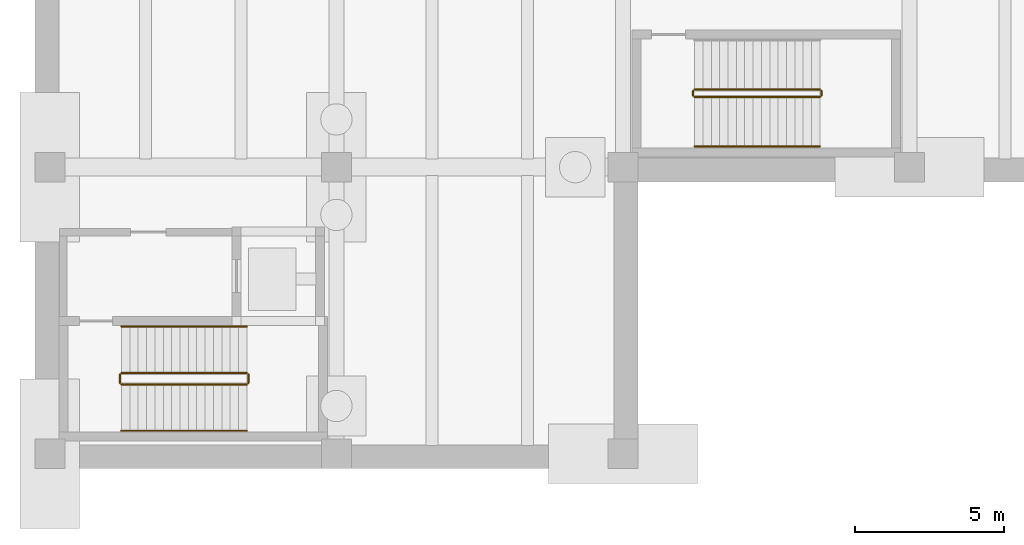
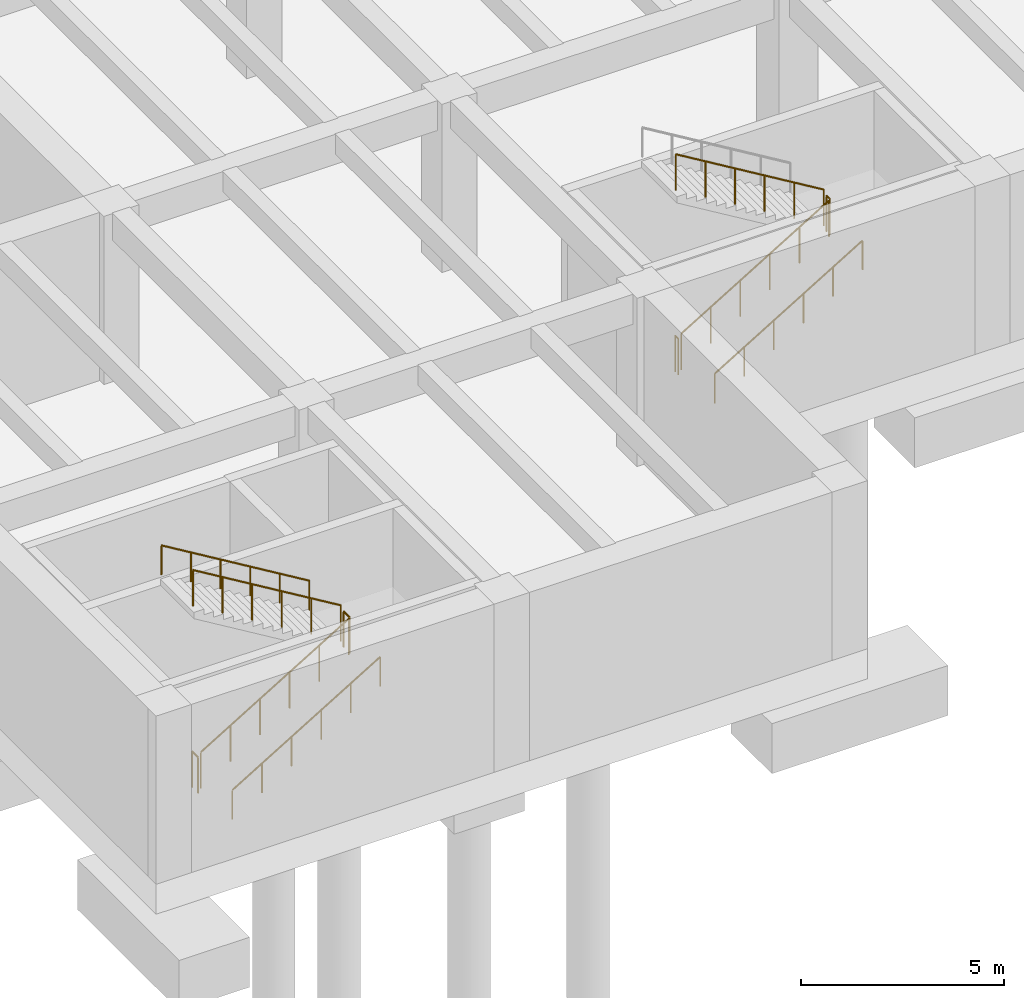
# One storey, part 16 of 24: 11 railings.
"""IFC4 building model written with IfcOpenShell, lengths in metres."""

from ifc_helpers import new_model, si_unit, direction, frame, origin, origin_2d, place, context, subcontext, project, spatial, circle, extrude, material, type_object, element, save


model = new_model("IFC4")

# Units and contexts
model_context = context("Model", 3, precision=1e-05, world=origin(), true_north=direction((0.0, 1.0)))
body_context = subcontext(model_context, "Body", "Model", "MODEL_VIEW")
ifc_project = project(units=[si_unit("LENGTHUNIT", "METRE"), si_unit("AREAUNIT", "SQUARE_METRE"), si_unit("VOLUMEUNIT", "CUBIC_METRE"), si_unit("PLANEANGLEUNIT", "RADIAN"), si_unit("MASSUNIT", "GRAM", prefix="KILO")], contexts=[model_context])

# Site, building, storey
site_placement = place(None, origin())
site = spatial("IfcSite", under=ifc_project, at=site_placement, CompositionType="ELEMENT")
building_placement = place(site_placement, origin())
building = spatial("IfcBuilding", under=site, at=building_placement, Name="Coralgate Yard Interchange", CompositionType="ELEMENT")
storey_placement = place(building_placement, frame((0.0, 0.0, -10.800048828125)))
storey = spatial("IfcBuildingStorey", under=building, at=storey_placement, Name="B2", CompositionType="ELEMENT", Elevation=-10.800048828125)

# Railings
ifc_material_1 = material(Name="Grade 316 marine stainless steel and toughened glass balustrade", Category="steel")
railing_type_1 = type_object("IfcRailingType", Name="RLG-GD1100", PredefinedType="BALUSTRADE", material=ifc_material_1)
railing_1_placement = place(storey_placement, frame((12.0, 31.1201171875, 0.168701171875)))
element("IfcRailing", 1, at=railing_1_placement, inside=storey, type_object=railing_type_1, Name="B2 ST-01 stair guard 1", PredefinedType="BALUSTRADE", context=body_context, shape_type="SweptSolid", body=[
    extrude(circle(Radius=0.02392578125, at=origin_2d()), frame((0.0, 0.0, 1.076171875), z_axis=(0.856476492594, 0.0, 0.516186030065), x_axis=(0.0, 1.0, 0.0)), (0.0, 0.0, 1.0), 4.90380859375),
    extrude(circle(Radius=0.02099609375, at=origin_2d()), origin(), (0.0, 0.0, 1.0), 1.051513671875),
    extrude(circle(Radius=0.02099609375, at=origin_2d()), frame((0.840087890625, 0.0, 0.50634765625)), (0.0, 0.0, 1.0), 1.051513671875),
    extrude(circle(Radius=0.02099609375, at=origin_2d()), frame((1.679931640625, 0.0, 1.012451171875)), (0.0, 0.0, 1.0), 1.051513671875),
    extrude(circle(Radius=0.02099609375, at=origin_2d()), frame((2.52001953125, 0.0, 1.518798828125)), (0.0, 0.0, 1.0), 1.051513671875),
    extrude(circle(Radius=0.02099609375, at=origin_2d()), frame((3.35986328125, 0.0, 2.02490234375)), (0.0, 0.0, 1.0), 1.051513671875),
    extrude(circle(Radius=0.02099609375, at=origin_2d()), frame((4.199951171875, 0.0, 2.53125)), (0.0, 0.0, 1.0), 1.051513671875),
])
railing_2_placement = place(storey_placement, frame((16.25, 31.169921875, 2.699951171875)))
element("IfcRailing", 2, at=railing_2_placement, inside=storey, type_object=railing_type_1, Name="B2 ST-01 stair guard 2", PredefinedType="BALUSTRADE", context=body_context, shape_type="SweptSolid", body=[
    extrude(circle(Radius=0.02392578125, at=origin_2d()), frame((0.0, 0.0, 1.076171875), z_axis=(0.0, 1.0, 0.0), x_axis=(-1.0, 0.0, 0.0)), (0.0, 0.0, 1.0), 0.2900390625),
    extrude(circle(Radius=0.02099609375, at=origin_2d()), origin(), (0.0, 0.0, 1.0), 1.051513671875),
    extrude(circle(Radius=0.02099609375, at=origin_2d()), frame((0.0, 0.2900390625, 0.0)), (0.0, 0.0, 1.0), 1.051513671875),
])
railing_3_placement = place(storey_placement, frame((16.199951171875, 31.510009765625, 2.868896484375)))
element("IfcRailing", 3, at=railing_3_placement, inside=storey, type_object=railing_type_1, Name="B2 ST-01 stair guard 3", PredefinedType="BALUSTRADE", context=body_context, shape_type="SweptSolid", body=[
    extrude(circle(Radius=0.02392578125, at=origin_2d()), frame((0.0, 0.0, 1.076171875), z_axis=(-0.856476492594, 0.0, 0.516186030065), x_axis=(0.0, -1.0, 0.0)), (0.0, 0.0, 1.0), 4.90380859375),
    extrude(circle(Radius=0.02099609375, at=origin_2d()), origin(), (0.0, 0.0, 1.0), 1.051513671875),
    extrude(circle(Radius=0.02099609375, at=origin_2d()), frame((-0.840087890625, 0.0, 0.50634765625)), (0.0, 0.0, 1.0), 1.051513671875),
    extrude(circle(Radius=0.02099609375, at=origin_2d()), frame((-1.679931640625, 0.0, 1.012451171875)), (0.0, 0.0, 1.0), 1.051513671875),
    extrude(circle(Radius=0.02099609375, at=origin_2d()), frame((-2.52001953125, 0.0, 1.518798828125)), (0.0, 0.0, 1.0), 1.051513671875),
    extrude(circle(Radius=0.02099609375, at=origin_2d()), frame((-3.35986328125, 0.0, 2.02490234375)), (0.0, 0.0, 1.0), 1.051513671875),
    extrude(circle(Radius=0.02099609375, at=origin_2d()), frame((-4.199951171875, 0.0, 2.53125)), (0.0, 0.0, 1.0), 1.051513671875),
])
railing_4_placement = place(storey_placement, frame((11.949951171875, 31.169921875, 0.0)))
element("IfcRailing", 4, at=railing_4_placement, inside=storey, type_object=railing_type_1, Name="B2 ST-01 stair guard 4", PredefinedType="BALUSTRADE", context=body_context, shape_type="SweptSolid", body=[
    extrude(circle(Radius=0.02392578125, at=origin_2d()), frame((0.0, 0.0, 1.076171875), z_axis=(0.0, 1.0, 0.0), x_axis=(-1.0, 0.0, 0.0)), (0.0, 0.0, 1.0), 0.2900390625),
    extrude(circle(Radius=0.02099609375, at=origin_2d()), origin(), (0.0, 0.0, 1.0), 1.051513671875),
    extrude(circle(Radius=0.02099609375, at=origin_2d()), frame((0.0, 0.2900390625, 0.0)), (0.0, 0.0, 1.0), 1.051513671875),
])
railing_5_placement = place(storey_placement, frame((31.199951171875, 40.75, 0.168701171875)))
element("IfcRailing", 5, at=railing_5_placement, inside=storey, type_object=railing_type_1, Name="B2 ST-12 stair guard 1", PredefinedType="BALUSTRADE", context=body_context, shape_type="SweptSolid", body=[
    extrude(circle(Radius=0.02392578125, at=origin_2d()), frame((0.0, 0.0, 1.076171875), z_axis=(0.856476492594, 0.0, 0.516186030065), x_axis=(0.0, 1.0, 0.0)), (0.0, 0.0, 1.0), 4.90380859375),
    extrude(circle(Radius=0.02099609375, at=origin_2d()), origin(), (0.0, 0.0, 1.0), 1.051513671875),
    extrude(circle(Radius=0.02099609375, at=origin_2d()), frame((0.840087890625, 0.0, 0.50634765625)), (0.0, 0.0, 1.0), 1.051513671875),
    extrude(circle(Radius=0.02099609375, at=origin_2d()), frame((1.679931640625, 0.0, 1.012451171875)), (0.0, 0.0, 1.0), 1.051513671875),
    extrude(circle(Radius=0.02099609375, at=origin_2d()), frame((2.52001953125, 0.0, 1.518798828125)), (0.0, 0.0, 1.0), 1.051513671875),
    extrude(circle(Radius=0.02099609375, at=origin_2d()), frame((3.35986328125, 0.0, 2.02490234375)), (0.0, 0.0, 1.0), 1.051513671875),
    extrude(circle(Radius=0.02099609375, at=origin_2d()), frame((4.199951171875, 0.0, 2.53125)), (0.0, 0.0, 1.0), 1.051513671875),
])
railing_6_placement = place(storey_placement, frame((35.449951171875, 40.800048828125, 2.699951171875)))
element("IfcRailing", 6, at=railing_6_placement, inside=storey, type_object=railing_type_1, Name="B2 ST-12 stair guard 2", PredefinedType="BALUSTRADE", context=body_context, shape_type="SweptSolid", body=[
    extrude(circle(Radius=0.02392578125, at=origin_2d()), frame((0.0, 0.0, 1.076171875), z_axis=(0.0, 1.0, 0.0), x_axis=(-1.0, 0.0, 0.0)), (0.0, 0.0, 1.0), 0.159912109375),
    extrude(circle(Radius=0.02099609375, at=origin_2d()), origin(), (0.0, 0.0, 1.0), 1.051513671875),
    extrude(circle(Radius=0.02099609375, at=origin_2d()), frame((0.0, 0.159912109375, 0.0)), (0.0, 0.0, 1.0), 1.051513671875),
])
railing_7_placement = place(storey_placement, frame((35.39990234375, 41.010009765625, 2.868896484375)))
element("IfcRailing", 7, at=railing_7_placement, inside=storey, type_object=railing_type_1, Name="B2 ST-12 stair guard 3", PredefinedType="BALUSTRADE", context=body_context, shape_type="SweptSolid", body=[
    extrude(circle(Radius=0.02392578125, at=origin_2d()), frame((0.0, 0.0, 1.076171875), z_axis=(-0.856476492594, 0.0, 0.516186030065), x_axis=(0.0, -1.0, 0.0)), (0.0, 0.0, 1.0), 4.90380859375),
    extrude(circle(Radius=0.02099609375, at=origin_2d()), origin(), (0.0, 0.0, 1.0), 1.051513671875),
    extrude(circle(Radius=0.02099609375, at=origin_2d()), frame((-0.840087890625, 0.0, 0.50634765625)), (0.0, 0.0, 1.0), 1.051513671875),
    extrude(circle(Radius=0.02099609375, at=origin_2d()), frame((-1.679931640625, 0.0, 1.012451171875)), (0.0, 0.0, 1.0), 1.051513671875),
    extrude(circle(Radius=0.02099609375, at=origin_2d()), frame((-2.52001953125, 0.0, 1.518798828125)), (0.0, 0.0, 1.0), 1.051513671875),
    extrude(circle(Radius=0.02099609375, at=origin_2d()), frame((-3.35986328125, 0.0, 2.02490234375)), (0.0, 0.0, 1.0), 1.051513671875),
    extrude(circle(Radius=0.02099609375, at=origin_2d()), frame((-4.199951171875, 0.0, 2.53125)), (0.0, 0.0, 1.0), 1.051513671875),
])
railing_8_placement = place(storey_placement, frame((31.14990234375, 40.800048828125, 0.0)))
element("IfcRailing", 8, at=railing_8_placement, inside=storey, type_object=railing_type_1, Name="B2 ST-12 stair guard 4", PredefinedType="BALUSTRADE", context=body_context, shape_type="SweptSolid", body=[
    extrude(circle(Radius=0.02392578125, at=origin_2d()), frame((0.0, 0.0, 1.076171875), z_axis=(0.0, 1.0, 0.0), x_axis=(-1.0, 0.0, 0.0)), (0.0, 0.0, 1.0), 0.159912109375),
    extrude(circle(Radius=0.02099609375, at=origin_2d()), origin(), (0.0, 0.0, 1.0), 1.051513671875),
    extrude(circle(Radius=0.02099609375, at=origin_2d()), frame((0.0, 0.159912109375, 0.0)), (0.0, 0.0, 1.0), 1.051513671875),
])
ifc_material_2 = material(Name="Grade 316 marine stainless steel", Category="steel")
railing_type_2 = type_object("IfcRailingType", Name="RLG-HR900", PredefinedType="HANDRAIL", material=ifc_material_2)
railing_9_placement = place(storey_placement, frame((12.0, 29.570068359375, 0.168701171875)))
element("IfcRailing", 9, at=railing_9_placement, inside=storey, type_object=railing_type_2, Name="B2 ST-01 stair handrail 1", PredefinedType="HANDRAIL", context=body_context, shape_type="SweptSolid", body=[
    extrude(circle(Radius=0.02392578125, at=origin_2d()), frame((0.0, 0.0, 0.8759765625), z_axis=(0.856476492594, 0.0, 0.516186030065), x_axis=(0.0, 1.0, 0.0)), (0.0, 0.0, 1.0), 4.90380859375),
    extrude(circle(Radius=0.02099609375, at=origin_2d()), origin(), (0.0, 0.0, 1.0), 0.851318359375),
    extrude(circle(Radius=0.02099609375, at=origin_2d()), frame((0.840087890625, 0.0, 0.50634765625)), (0.0, 0.0, 1.0), 0.851318359375),
    extrude(circle(Radius=0.02099609375, at=origin_2d()), frame((1.679931640625, 0.0, 1.012451171875)), (0.0, 0.0, 1.0), 0.851318359375),
    extrude(circle(Radius=0.02099609375, at=origin_2d()), frame((2.52001953125, 0.0, 1.518798828125)), (0.0, 0.0, 1.0), 0.851318359375),
    extrude(circle(Radius=0.02099609375, at=origin_2d()), frame((3.35986328125, 0.0, 2.02490234375)), (0.0, 0.0, 1.0), 0.851318359375),
    extrude(circle(Radius=0.02099609375, at=origin_2d()), frame((4.199951171875, 0.0, 2.53125)), (0.0, 0.0, 1.0), 0.851318359375),
])
railing_10_placement = place(storey_placement, frame((16.199951171875, 33.06005859375, 2.868896484375)))
element("IfcRailing", 10, at=railing_10_placement, inside=storey, type_object=railing_type_2, Name="B2 ST-01 stair handrail 2", PredefinedType="HANDRAIL", context=body_context, shape_type="SweptSolid", body=[
    extrude(circle(Radius=0.02392578125, at=origin_2d()), frame((0.0, 0.0, 0.8759765625), z_axis=(-0.856476492594, 0.0, 0.516186030065), x_axis=(0.0, -1.0, 0.0)), (0.0, 0.0, 1.0), 4.90380859375),
    extrude(circle(Radius=0.02099609375, at=origin_2d()), origin(), (0.0, 0.0, 1.0), 0.851318359375),
    extrude(circle(Radius=0.02099609375, at=origin_2d()), frame((-0.840087890625, 0.0, 0.50634765625)), (0.0, 0.0, 1.0), 0.851318359375),
    extrude(circle(Radius=0.02099609375, at=origin_2d()), frame((-1.679931640625, 0.0, 1.012451171875)), (0.0, 0.0, 1.0), 0.851318359375),
    extrude(circle(Radius=0.02099609375, at=origin_2d()), frame((-2.52001953125, 0.0, 1.518798828125)), (0.0, 0.0, 1.0), 0.851318359375),
    extrude(circle(Radius=0.02099609375, at=origin_2d()), frame((-3.35986328125, 0.0, 2.02490234375)), (0.0, 0.0, 1.0), 0.851318359375),
    extrude(circle(Radius=0.02099609375, at=origin_2d()), frame((-4.199951171875, 0.0, 2.53125)), (0.0, 0.0, 1.0), 0.851318359375),
])
railing_11_placement = place(storey_placement, frame((31.199951171875, 39.10009765625, 0.168701171875)))
element("IfcRailing", 11, at=railing_11_placement, inside=storey, type_object=railing_type_2, Name="B2 ST-12 stair handrail 1", PredefinedType="HANDRAIL", context=body_context, shape_type="SweptSolid", body=[
    extrude(circle(Radius=0.02392578125, at=origin_2d()), frame((0.0, 0.0, 0.8759765625), z_axis=(0.856476492594, 0.0, 0.516186030065), x_axis=(0.0, 1.0, 0.0)), (0.0, 0.0, 1.0), 4.90380859375),
    extrude(circle(Radius=0.02099609375, at=origin_2d()), origin(), (0.0, 0.0, 1.0), 0.851318359375),
    extrude(circle(Radius=0.02099609375, at=origin_2d()), frame((0.840087890625, 0.0, 0.50634765625)), (0.0, 0.0, 1.0), 0.851318359375),
    extrude(circle(Radius=0.02099609375, at=origin_2d()), frame((1.679931640625, 0.0, 1.012451171875)), (0.0, 0.0, 1.0), 0.851318359375),
    extrude(circle(Radius=0.02099609375, at=origin_2d()), frame((2.52001953125, 0.0, 1.518798828125)), (0.0, 0.0, 1.0), 0.851318359375),
    extrude(circle(Radius=0.02099609375, at=origin_2d()), frame((3.35986328125, 0.0, 2.02490234375)), (0.0, 0.0, 1.0), 0.851318359375),
    extrude(circle(Radius=0.02099609375, at=origin_2d()), frame((4.199951171875, 0.0, 2.53125)), (0.0, 0.0, 1.0), 0.851318359375),
])

save(model, "model.ifc")
